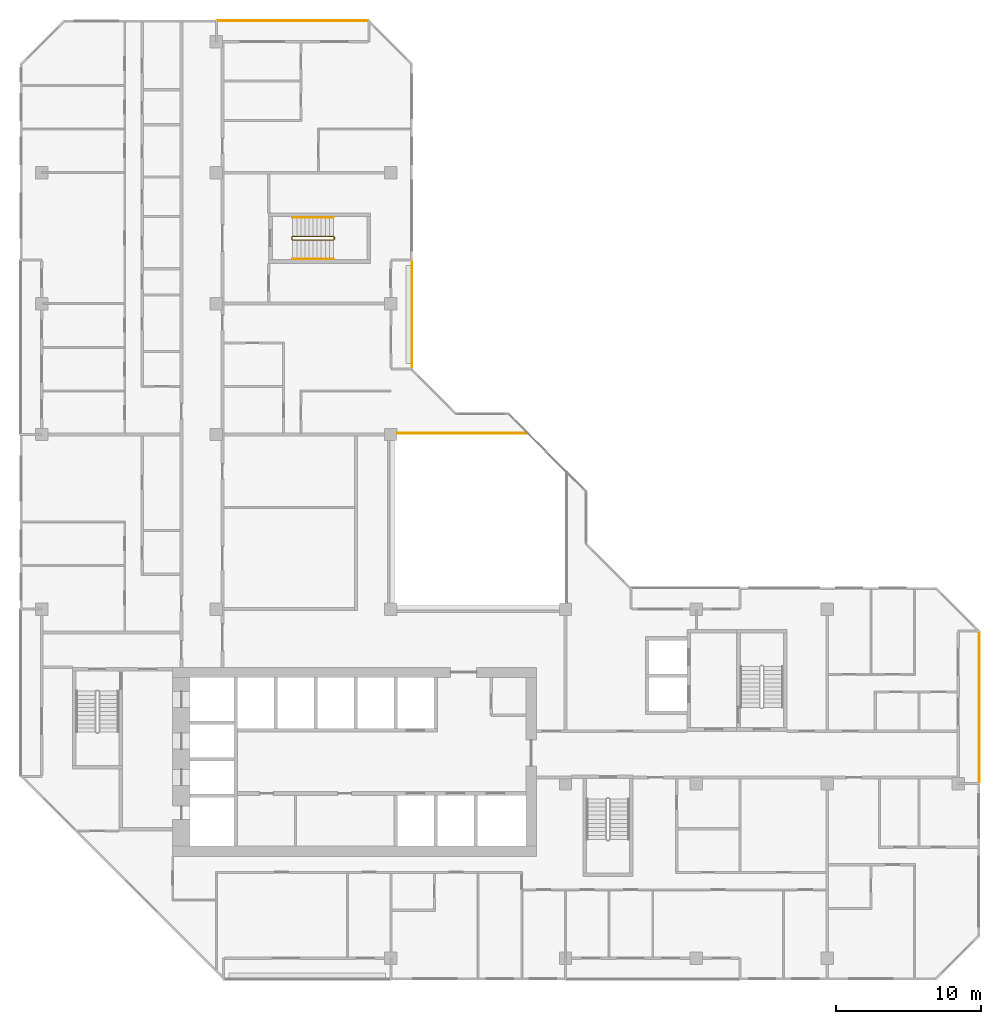
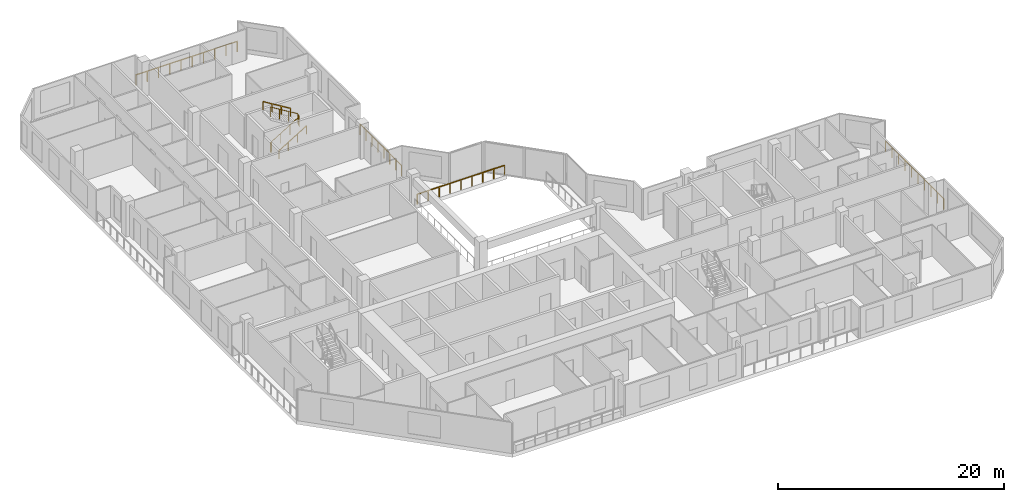
# One storey, part 14 of 14: 7 railings.
"""IFC4 building model written with IfcOpenShell, lengths in metres."""

from ifc_helpers import new_model, si_unit, direction, frame, origin, origin_2d, place, context, subcontext, project, spatial, rectangle, extrude, material, type_object, element, save


model = new_model("IFC4")

# Units and contexts
model_context = context("Model", 3, precision=1e-05, world=origin(), true_north=direction((0.0, 1.0)))
body_context = subcontext(model_context, "Body", "Model", "MODEL_VIEW")
ifc_project = project(units=[si_unit("LENGTHUNIT", "METRE"), si_unit("AREAUNIT", "SQUARE_METRE"), si_unit("VOLUMEUNIT", "CUBIC_METRE"), si_unit("PLANEANGLEUNIT", "RADIAN"), si_unit("MASSUNIT", "GRAM", prefix="KILO")], contexts=[model_context])

# Site, building, storey
site_placement = place(None, origin())
site = spatial("IfcSite", under=ifc_project, at=site_placement, CompositionType="ELEMENT")
building_placement = place(site_placement, origin())
building = spatial("IfcBuilding", under=site, at=building_placement, Name="Chenar Terraces", CompositionType="ELEMENT")
storey_placement = place(building_placement, frame((0.0, 0.0, 230.39990234375)))
storey = spatial("IfcBuildingStorey", under=building, at=storey_placement, Name="L54", CompositionType="ELEMENT", Elevation=230.39990234375)

# Railings
ifc_material_1 = material(Name="Powder-coated steel", Category="steel")
railing_type_1 = type_object("IfcRailingType", Name="Guard 1100 steel rail with glass infill", PredefinedType="GUARDRAIL", material=ifc_material_1)
railing_1_placement = place(storey_placement, frame((24.47509765625, 36.10009765625, 0.0)))
element("IfcRailing", 1, at=railing_1_placement, inside=storey, type_object=railing_type_1, Name="Guard L54-2", PredefinedType="GUARDRAIL", context=body_context, shape_type="SweptSolid", body=[
    extrude(rectangle(XDim=0.06005859375, YDim=0.06005859375, at=origin_2d()), frame((0.0, 0.0, 1.070068359375), z_axis=(1.0, 0.0, 0.0), x_axis=(0.0, 1.0, 0.0)), (0.0, 0.0, 1.0), 8.9248046875),
    extrude(rectangle(XDim=0.050048828125, YDim=0.050048828125, at=origin_2d()), origin(), (0.0, 0.0, 1.0), 1.0400390625),
    extrude(rectangle(XDim=0.050048828125, YDim=0.050048828125, at=origin_2d()), frame((1.11572265625, 0.0, 0.0)), (0.0, 0.0, 1.0), 1.0400390625),
    extrude(rectangle(XDim=0.050048828125, YDim=0.050048828125, at=origin_2d()), frame((2.231201171875, 0.0, 0.0)), (0.0, 0.0, 1.0), 1.0400390625),
    extrude(rectangle(XDim=0.050048828125, YDim=0.050048828125, at=origin_2d()), frame((3.3466796875, 0.0, 0.0)), (0.0, 0.0, 1.0), 1.0400390625),
    extrude(rectangle(XDim=0.050048828125, YDim=0.050048828125, at=origin_2d()), frame((4.46240234375, 0.0, 0.0)), (0.0, 0.0, 1.0), 1.0400390625),
    extrude(rectangle(XDim=0.050048828125, YDim=0.050048828125, at=origin_2d()), frame((5.578125, 0.0, 0.0)), (0.0, 0.0, 1.0), 1.0400390625),
    extrude(rectangle(XDim=0.050048828125, YDim=0.050048828125, at=origin_2d()), frame((6.693603515625, 0.0, 0.0)), (0.0, 0.0, 1.0), 1.0400390625),
    extrude(rectangle(XDim=0.050048828125, YDim=0.050048828125, at=origin_2d()), frame((7.80908203125, 0.0, 0.0)), (0.0, 0.0, 1.0), 1.0400390625),
    extrude(rectangle(XDim=0.050048828125, YDim=0.050048828125, at=origin_2d()), frame((8.9248046875, 0.0, 0.0)), (0.0, 0.0, 1.0), 1.0400390625),
])
ifc_material_2 = material(Name="Stainless steel and glass", Category="steel")
railing_type_2 = type_object("IfcRailingType", Name="Loggia guard 1150", PredefinedType="GUARDRAIL", material=ifc_material_2)
railing_2_placement = place(storey_placement, frame((25.449951171875, 40.574951171875, 0.0)))
element("IfcRailing", 2, at=railing_2_placement, inside=storey, type_object=railing_type_2, Name="Loggia guard", PredefinedType="GUARDRAIL", context=body_context, shape_type="SweptSolid", body=[
    extrude(rectangle(XDim=0.048095703125, YDim=0.048095703125, at=origin_2d()), frame((0.0, 0.0, 1.1259765625), z_axis=(0.0, 1.0, 0.0), x_axis=(-1.0, 0.0, 0.0)), (0.0, 0.0, 1.0), 7.35009765625),
    extrude(rectangle(XDim=0.0419921875, YDim=0.0419921875, at=origin_2d()), origin(), (0.0, 0.0, 1.0), 1.101806640625),
    extrude(rectangle(XDim=0.0419921875, YDim=0.0419921875, at=origin_2d()), frame((0.0, 1.050048828125, 0.0)), (0.0, 0.0, 1.0), 1.101806640625),
    extrude(rectangle(XDim=0.0419921875, YDim=0.0419921875, at=origin_2d()), frame((0.0, 2.10009765625, 0.0)), (0.0, 0.0, 1.0), 1.101806640625),
    extrude(rectangle(XDim=0.0419921875, YDim=0.0419921875, at=origin_2d()), frame((0.0, 3.150146484375, 0.0)), (0.0, 0.0, 1.0), 1.101806640625),
    extrude(rectangle(XDim=0.0419921875, YDim=0.0419921875, at=origin_2d()), frame((0.0, 4.199951171875, 0.0)), (0.0, 0.0, 1.0), 1.101806640625),
    extrude(rectangle(XDim=0.0419921875, YDim=0.0419921875, at=origin_2d()), frame((0.0, 5.25, 0.0)), (0.0, 0.0, 1.0), 1.101806640625),
    extrude(rectangle(XDim=0.0419921875, YDim=0.0419921875, at=origin_2d()), frame((0.0, 6.300048828125, 0.0)), (0.0, 0.0, 1.0), 1.101806640625),
    extrude(rectangle(XDim=0.0419921875, YDim=0.0419921875, at=origin_2d()), frame((0.0, 7.35009765625, 0.0)), (0.0, 0.0, 1.0), 1.101806640625),
])
railing_3_placement = place(storey_placement, frame((64.449951171875, 12.074951171875, 0.0)))
element("IfcRailing", 3, at=railing_3_placement, inside=storey, type_object=railing_type_2, Name="Loggia guard", PredefinedType="GUARDRAIL", context=body_context, shape_type="SweptSolid", body=[
    extrude(rectangle(XDim=0.048095703125, YDim=0.048095703125, at=origin_2d()), frame((0.0, 0.0, 1.1259765625), z_axis=(0.0, 1.0, 0.0), x_axis=(-1.0, 0.0, 0.0)), (0.0, 0.0, 1.0), 10.35009765625),
    extrude(rectangle(XDim=0.0419921875, YDim=0.0419921875, at=origin_2d()), origin(), (0.0, 0.0, 1.0), 1.101806640625),
    extrude(rectangle(XDim=0.0419921875, YDim=0.0419921875, at=origin_2d()), frame((0.0, 1.14990234375, 0.0)), (0.0, 0.0, 1.0), 1.101806640625),
    extrude(rectangle(XDim=0.0419921875, YDim=0.0419921875, at=origin_2d()), frame((0.0, 2.300048828125, 0.0)), (0.0, 0.0, 1.0), 1.101806640625),
    extrude(rectangle(XDim=0.0419921875, YDim=0.0419921875, at=origin_2d()), frame((0.0, 3.449951171875, 0.0)), (0.0, 0.0, 1.0), 1.101806640625),
    extrude(rectangle(XDim=0.0419921875, YDim=0.0419921875, at=origin_2d()), frame((0.0, 4.60009765625, 0.0)), (0.0, 0.0, 1.0), 1.101806640625),
    extrude(rectangle(XDim=0.0419921875, YDim=0.0419921875, at=origin_2d()), frame((0.0, 5.75, 0.0)), (0.0, 0.0, 1.0), 1.101806640625),
    extrude(rectangle(XDim=0.0419921875, YDim=0.0419921875, at=origin_2d()), frame((0.0, 6.900146484375, 0.0)), (0.0, 0.0, 1.0), 1.101806640625),
    extrude(rectangle(XDim=0.0419921875, YDim=0.0419921875, at=origin_2d()), frame((0.0, 8.050048828125, 0.0)), (0.0, 0.0, 1.0), 1.101806640625),
    extrude(rectangle(XDim=0.0419921875, YDim=0.0419921875, at=origin_2d()), frame((0.0, 9.2001953125, 0.0)), (0.0, 0.0, 1.0), 1.101806640625),
    extrude(rectangle(XDim=0.0419921875, YDim=0.0419921875, at=origin_2d()), frame((0.0, 10.35009765625, 0.0)), (0.0, 0.0, 1.0), 1.101806640625),
])
railing_4_placement = place(storey_placement, frame((22.425048828125, 64.449951171875, 0.0)))
element("IfcRailing", 4, at=railing_4_placement, inside=storey, type_object=railing_type_2, Name="Loggia guard", PredefinedType="GUARDRAIL", context=body_context, shape_type="SweptSolid", body=[
    extrude(rectangle(XDim=0.048095703125, YDim=0.048095703125, at=origin_2d()), frame((0.0, 0.0, 1.1259765625), z_axis=(-1.0, 0.0, 0.0), x_axis=(0.0, -1.0, 0.0)), (0.0, 0.0, 1.0), 10.35009765625),
    extrude(rectangle(XDim=0.0419921875, YDim=0.0419921875, at=origin_2d()), origin(), (0.0, 0.0, 1.0), 1.101806640625),
    extrude(rectangle(XDim=0.0419921875, YDim=0.0419921875, at=origin_2d()), frame((-1.14990234375, 0.0, 0.0)), (0.0, 0.0, 1.0), 1.101806640625),
    extrude(rectangle(XDim=0.0419921875, YDim=0.0419921875, at=origin_2d()), frame((-2.300048828125, 0.0, 0.0)), (0.0, 0.0, 1.0), 1.101806640625),
    extrude(rectangle(XDim=0.0419921875, YDim=0.0419921875, at=origin_2d()), frame((-3.449951171875, 0.0, 0.0)), (0.0, 0.0, 1.0), 1.101806640625),
    extrude(rectangle(XDim=0.0419921875, YDim=0.0419921875, at=origin_2d()), frame((-4.60009765625, 0.0, 0.0)), (0.0, 0.0, 1.0), 1.101806640625),
    extrude(rectangle(XDim=0.0419921875, YDim=0.0419921875, at=origin_2d()), frame((-5.75, 0.0, 0.0)), (0.0, 0.0, 1.0), 1.101806640625),
    extrude(rectangle(XDim=0.0419921875, YDim=0.0419921875, at=origin_2d()), frame((-6.900146484375, 0.0, 0.0)), (0.0, 0.0, 1.0), 1.101806640625),
    extrude(rectangle(XDim=0.0419921875, YDim=0.0419921875, at=origin_2d()), frame((-8.050048828125, 0.0, 0.0)), (0.0, 0.0, 1.0), 1.101806640625),
    extrude(rectangle(XDim=0.0419921875, YDim=0.0419921875, at=origin_2d()), frame((-9.2001953125, 0.0, 0.0)), (0.0, 0.0, 1.0), 1.101806640625),
    extrude(rectangle(XDim=0.0419921875, YDim=0.0419921875, at=origin_2d()), frame((-10.35009765625, 0.0, 0.0)), (0.0, 0.0, 1.0), 1.101806640625),
])
ifc_material_3 = material(Name="Powder-coated steel", Category="steel")
railing_type_3 = type_object("IfcRailingType", Name="Stair guard 1100", PredefinedType="GUARDRAIL", material=ifc_material_3)
railing_5_placement = place(storey_placement, frame((17.25, 49.625, 3.75)))
element("IfcRailing", 5, at=railing_5_placement, inside=storey, type_object=railing_type_3, Name="L54 ST4 stair guard 1", PredefinedType="GUARDRAIL", context=body_context, shape_type="SweptSolid", body=[
    extrude(rectangle(XDim=0.048095703125, YDim=0.048095703125, at=origin_2d()), frame((0.0, 0.0, 1.076171875), z_axis=(0.854202870247, 0.0, -0.519939858505), x_axis=(0.0, 1.0, 0.0)), (0.0, 0.0, 1.0), 3.278076171875),
    extrude(rectangle(XDim=0.048095703125, YDim=0.048095703125, at=origin_2d()), frame((2.800048828125, 0.0, -0.62841796875), z_axis=(0.270899902878, -0.270899902878, -0.923702595667), x_axis=(0.707106781187, 0.707106781187, 0.0)), (0.0, 0.0, 1.0), 0.184814453125),
    extrude(rectangle(XDim=0.048095703125, YDim=0.048095703125, at=origin_2d()), frame((2.85009765625, -0.050048828125, -0.798828125), z_axis=(0.0, -1.0, 0.0), x_axis=(1.0, 0.0, 0.0)), (0.0, 0.0, 1.0), 0.14990234375),
    extrude(rectangle(XDim=0.048095703125, YDim=0.048095703125, at=origin_2d()), frame((2.85009765625, -0.199951171875, -0.798828125), z_axis=(-0.707106781187, -0.707106781187, 0.0), x_axis=(0.707106781187, -0.707106781187, 0.0)), (0.0, 0.0, 1.0), 0.07080078125),
    extrude(rectangle(XDim=0.048095703125, YDim=0.048095703125, at=origin_2d()), frame((2.800048828125, -0.25, -0.798828125), z_axis=(-0.854202870247, 0.0, -0.519939858505), x_axis=(0.0, -1.0, 0.0)), (0.0, 0.0, 1.0), 3.278076171875),
    extrude(rectangle(XDim=0.048095703125, YDim=0.048095703125, at=origin_2d()), frame((0.0, -0.25, -2.50341796875), z_axis=(-0.270899902878, 0.270899902878, -0.923702595667), x_axis=(-0.707106781187, -0.707106781187, 0.0)), (0.0, 0.0, 1.0), 0.184814453125),
    extrude(rectangle(XDim=0.048095703125, YDim=0.048095703125, at=origin_2d()), frame((-0.050048828125, -0.199951171875, -2.673828125), z_axis=(0.0, 1.0, 0.0), x_axis=(-1.0, 0.0, 0.0)), (0.0, 0.0, 1.0), 0.14990234375),
    extrude(rectangle(XDim=0.0419921875, YDim=0.0419921875, at=origin_2d()), origin(), (0.0, 0.0, 1.0), 1.052001953125),
    extrude(rectangle(XDim=0.0419921875, YDim=0.0419921875, at=origin_2d()), frame((0.933349609375, 0.0, -0.568115234375)), (0.0, 0.0, 1.0), 1.052001953125),
    extrude(rectangle(XDim=0.0419921875, YDim=0.0419921875, at=origin_2d()), frame((1.86669921875, 0.0, -1.13623046875)), (0.0, 0.0, 1.0), 1.052001953125),
    extrude(rectangle(XDim=0.0419921875, YDim=0.0419921875, at=origin_2d()), frame((2.800048828125, 0.0, -1.704345703125)), (0.0, 0.0, 1.0), 1.052001953125),
    extrude(rectangle(XDim=0.0419921875, YDim=0.0419921875, at=origin_2d()), frame((2.85009765625, -0.050048828125, -1.875)), (0.0, 0.0, 1.0), 1.052001953125),
    extrude(rectangle(XDim=0.0419921875, YDim=0.0419921875, at=origin_2d()), frame((2.85009765625, -0.199951171875, -1.875)), (0.0, 0.0, 1.0), 1.052001953125),
    extrude(rectangle(XDim=0.0419921875, YDim=0.0419921875, at=origin_2d()), frame((2.800048828125, -0.25, -1.875)), (0.0, 0.0, 1.0), 1.052001953125),
    extrude(rectangle(XDim=0.0419921875, YDim=0.0419921875, at=origin_2d()), frame((1.86669921875, -0.25, -2.443115234375)), (0.0, 0.0, 1.0), 1.052001953125),
    extrude(rectangle(XDim=0.0419921875, YDim=0.0419921875, at=origin_2d()), frame((0.933349609375, -0.25, -3.01123046875)), (0.0, 0.0, 1.0), 1.052001953125),
    extrude(rectangle(XDim=0.0419921875, YDim=0.0419921875, at=origin_2d()), frame((0.0, -0.25, -3.579345703125)), (0.0, 0.0, 1.0), 1.052001953125),
    extrude(rectangle(XDim=0.0419921875, YDim=0.0419921875, at=origin_2d()), frame((-0.050048828125, -0.199951171875, -3.75)), (0.0, 0.0, 1.0), 1.052001953125),
    extrude(rectangle(XDim=0.0419921875, YDim=0.0419921875, at=origin_2d()), frame((-0.050048828125, -0.050048828125, -3.75)), (0.0, 0.0, 1.0), 1.052001953125),
])
ifc_material_4 = material(Name="Powder-coated steel", Category="steel")
railing_type_4 = type_object("IfcRailingType", Name="Stair handrail 900", PredefinedType="HANDRAIL", material=ifc_material_4)
railing_6_placement = place(storey_placement, frame((17.25, 48.074951171875, 0.170654296875)))
element("IfcRailing", 6, at=railing_6_placement, inside=storey, type_object=railing_type_4, Name="L54 ST4 stair handrail 1", PredefinedType="HANDRAIL", context=body_context, shape_type="SweptSolid", body=[
    extrude(rectangle(XDim=0.048095703125, YDim=0.048095703125, at=origin_2d()), frame((0.0, 0.0, 0.8759765625), z_axis=(0.854202870247, 0.0, 0.519939858505), x_axis=(0.0, 1.0, 0.0)), (0.0, 0.0, 1.0), 3.278076171875),
    extrude(rectangle(XDim=0.0419921875, YDim=0.0419921875, at=origin_2d()), origin(), (0.0, 0.0, 1.0), 0.851806640625),
    extrude(rectangle(XDim=0.0419921875, YDim=0.0419921875, at=origin_2d()), frame((0.933349609375, 0.0, 0.568115234375)), (0.0, 0.0, 1.0), 0.851806640625),
    extrude(rectangle(XDim=0.0419921875, YDim=0.0419921875, at=origin_2d()), frame((1.86669921875, 0.0, 1.13623046875)), (0.0, 0.0, 1.0), 0.851806640625),
    extrude(rectangle(XDim=0.0419921875, YDim=0.0419921875, at=origin_2d()), frame((2.800048828125, 0.0, 1.704345703125)), (0.0, 0.0, 1.0), 0.851806640625),
])
railing_7_placement = place(storey_placement, frame((20.050048828125, 50.925048828125, 2.045654296875)))
element("IfcRailing", 7, at=railing_7_placement, inside=storey, type_object=railing_type_4, Name="L54 ST4 stair handrail 2", PredefinedType="HANDRAIL", context=body_context, shape_type="SweptSolid", body=[
    extrude(rectangle(XDim=0.048095703125, YDim=0.048095703125, at=origin_2d()), frame((0.0, 0.0, 0.8759765625), z_axis=(-0.854202870247, 0.0, 0.519939858505), x_axis=(0.0, -1.0, 0.0)), (0.0, 0.0, 1.0), 3.278076171875),
    extrude(rectangle(XDim=0.0419921875, YDim=0.0419921875, at=origin_2d()), origin(), (0.0, 0.0, 1.0), 0.851806640625),
    extrude(rectangle(XDim=0.0419921875, YDim=0.0419921875, at=origin_2d()), frame((-0.933349609375, 0.0, 0.568115234375)), (0.0, 0.0, 1.0), 0.851806640625),
    extrude(rectangle(XDim=0.0419921875, YDim=0.0419921875, at=origin_2d()), frame((-1.86669921875, 0.0, 1.13623046875)), (0.0, 0.0, 1.0), 0.851806640625),
    extrude(rectangle(XDim=0.0419921875, YDim=0.0419921875, at=origin_2d()), frame((-2.800048828125, 0.0, 1.704345703125)), (0.0, 0.0, 1.0), 0.851806640625),
])

save(model, "model.ifc")
